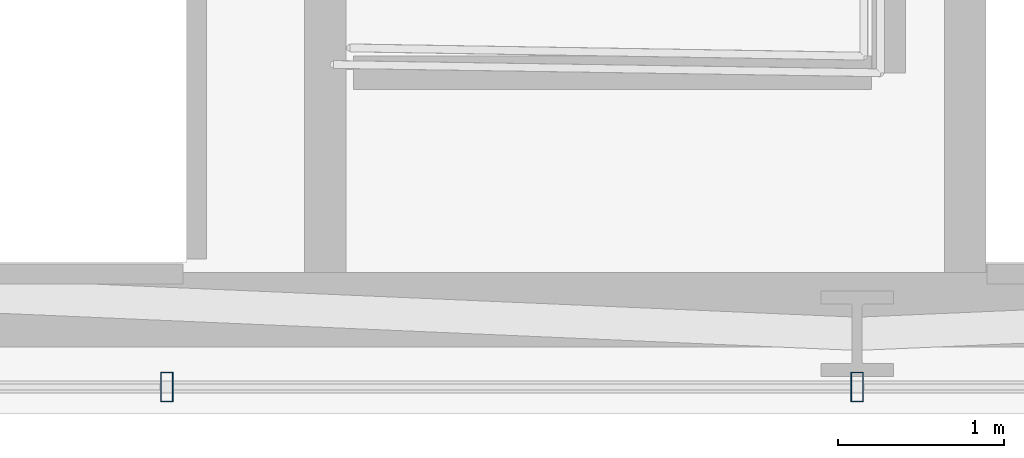
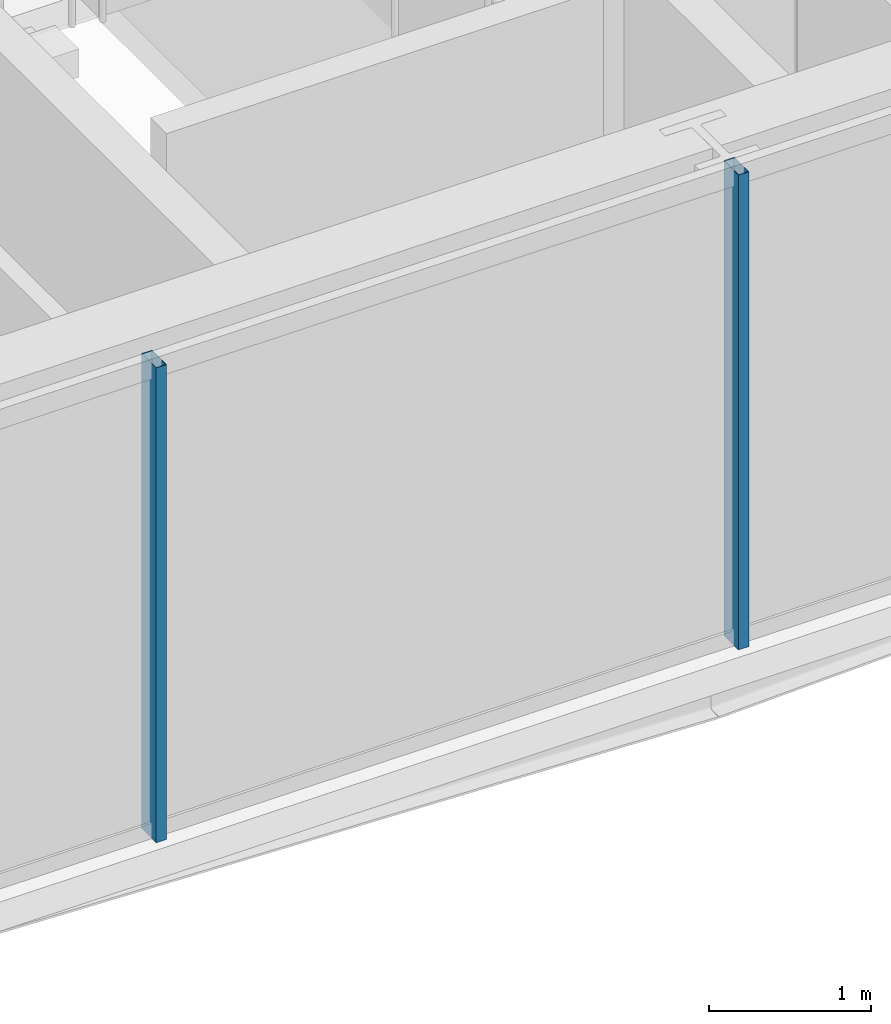
# One storey, part 7 of 32: 2 members, 1 element without a shape of its own.
"""IFC4 building model written with IfcOpenShell, lengths in metres."""

from ifc_helpers import new_model, si_unit, direction, frame, origin, origin_2d, place, context, subcontext, project, spatial, hollow_rectangle, extrude, material, layer, layer_set, material_profile, profile_set, type_object, element, aggregate, save


model = new_model("IFC4")

# Units and contexts
model_context = context("Model", 3, precision=1e-05, world=origin(), true_north=direction((0.0, 1.0)))
body_context = subcontext(model_context, "Body", "Model", "MODEL_VIEW")
ifc_project = project(units=[si_unit("LENGTHUNIT", "METRE"), si_unit("AREAUNIT", "SQUARE_METRE"), si_unit("VOLUMEUNIT", "CUBIC_METRE"), si_unit("PLANEANGLEUNIT", "RADIAN"), si_unit("MASSUNIT", "GRAM", prefix="KILO")], contexts=[model_context])

# Site, building, storey
site_placement = place(None, origin())
site = spatial("IfcSite", under=ifc_project, at=site_placement, CompositionType="ELEMENT")
building_placement = place(site_placement, origin())
building = spatial("IfcBuilding", under=site, at=building_placement, Name="Ndaravel Arena Tower", CompositionType="ELEMENT")
storey_placement = place(building_placement, frame((0.0, 0.0, 93.0)))
storey = spatial("IfcBuildingStorey", under=building, at=storey_placement, Name="L21", CompositionType="ELEMENT", Elevation=93.0)

# Curtain wall, members
ifc_material_1 = material(Name="Aluminium", Category="aluminium")
ifc_layer = layer(ifc_material_1, 0.179931640625)
ifc_layer_set = layer_set([ifc_layer], Name="Aluminium")
curtain_wall_type = type_object("IfcCurtainWallType", Name="CW-SYS-03", PredefinedType="NOTDEFINED", material=ifc_layer_set)
curtain_wall_placement = place(storey_placement, origin())
curtain_wall = element("IfcCurtainWall", 1, at=curtain_wall_placement, inside=storey, type_object=curtain_wall_type, Name="L21 Faceted Crystal Curtain Wall CW-L21-E01", PredefinedType="NOTDEFINED")
ifc_material_2 = material(Name="Aluminium", Category="aluminium")
ifc_material_profile = material_profile(ifc_material_2, hollow_rectangle(XDim=0.074951171875, YDim=0.179931640625, WallThickness=0.00390625, at=origin_2d()), Name="CW MULLION 75x180x4")
ifc_profile_set = profile_set([ifc_material_profile], Name="Aluminium")
member_type = type_object("IfcMemberType", Name="MEM-CW-MUL180", PredefinedType="MULLION", material=ifc_profile_set)
member_1_placement = place(storey_placement, frame((37.846923828125, 5.159912109375, 0.0), z_axis=(0.0, 0.0, 1.0), x_axis=(1.0, 0.0, 0.0)))
member_1 = element("IfcMember", 2, at=member_1_placement, type_object=member_type, Name="CW-L21-E01 Mullion 03", PredefinedType="MULLION", context=body_context, shape_type="SweptSolid", body=[
    extrude(hollow_rectangle(XDim=0.074951171875, YDim=0.179931640625, WallThickness=0.00390625, at=origin_2d()), origin(), (0.0, 0.0, 1.0), 3.580078125),
])
member_2_placement = place(storey_placement, frame((42.0, 5.159912109375, 0.0), z_axis=(0.0, 0.0, 1.0), x_axis=(1.0, 0.0, 0.0)))
member_2 = element("IfcMember", 3, at=member_2_placement, type_object=member_type, Name="CW-L21-E01 Mullion 04", PredefinedType="MULLION", context=body_context, shape_type="SweptSolid", body=[
    extrude(hollow_rectangle(XDim=0.074951171875, YDim=0.179931640625, WallThickness=0.00390625, at=origin_2d()), origin(), (0.0, 0.0, 1.0), 3.580078125),
])
aggregate(curtain_wall, [member_1, member_2])

save(model, "model.ifc")
